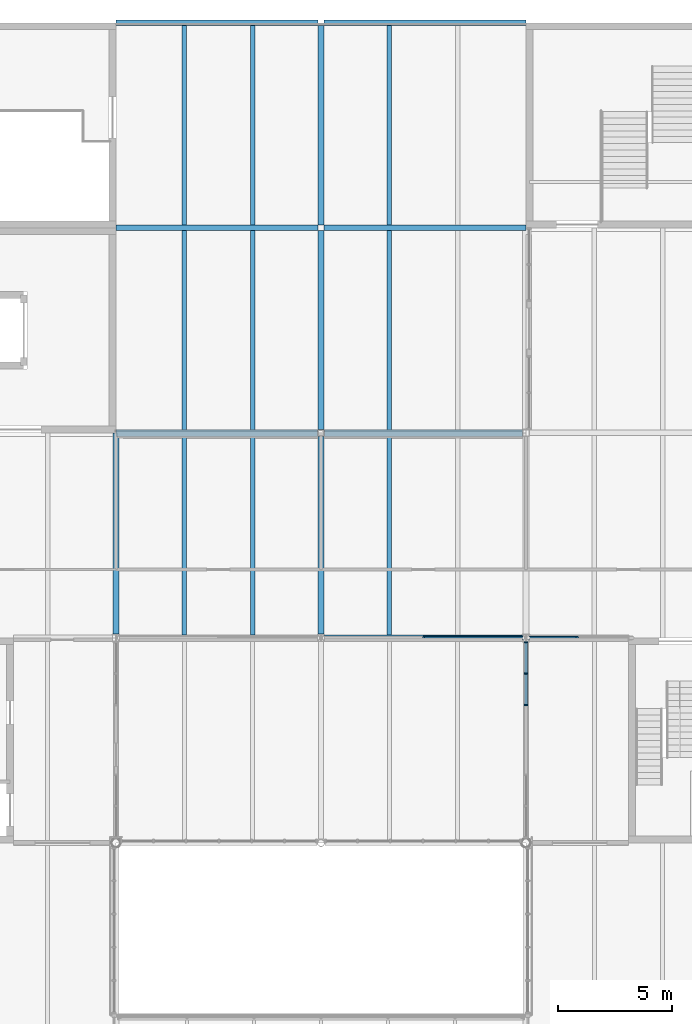
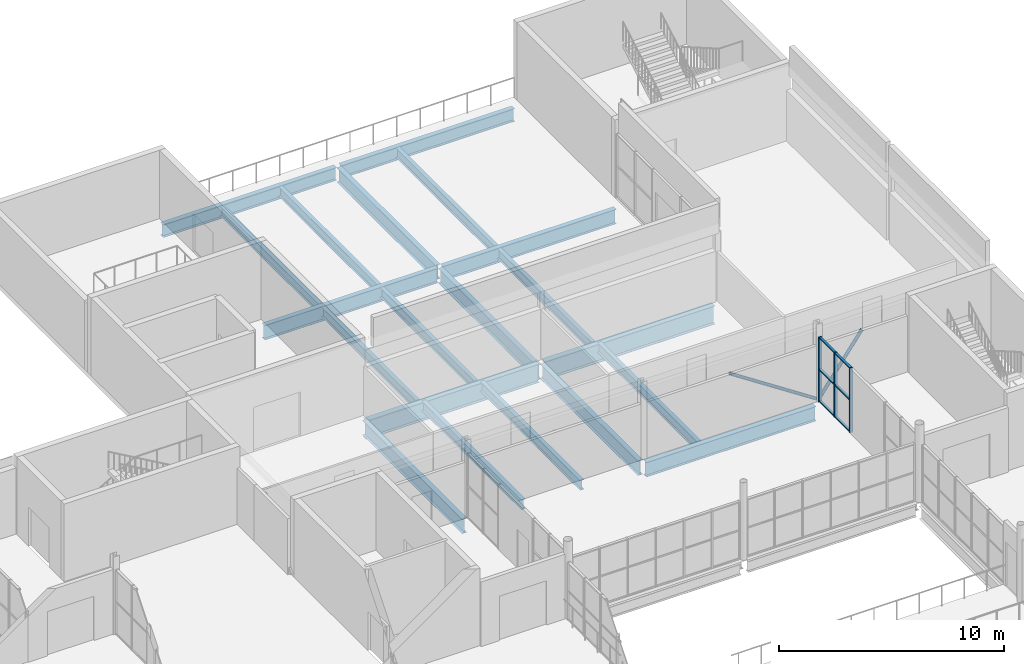
# One storey, part 29 of 61: 20 beams, 11 members, 1 element without a shape of its own.
"""IFC4 building model written with IfcOpenShell, lengths in metres."""

from ifc_helpers import new_model, si_unit, direction, frame, origin, origin_2d, place, context, subcontext, project, spatial, rectangle, hollow_circle, i_section, extrude, material, layer, layer_set, material_profile, profile_set, type_object, element, aggregate, save


model = new_model("IFC4")

# Units and contexts
model_context = context("Model", 3, precision=1e-05, world=origin(), true_north=direction((0.0, 1.0)))
body_context = subcontext(model_context, "Body", "Model", "MODEL_VIEW")
ifc_project = project(units=[si_unit("LENGTHUNIT", "METRE"), si_unit("AREAUNIT", "SQUARE_METRE"), si_unit("VOLUMEUNIT", "CUBIC_METRE"), si_unit("PLANEANGLEUNIT", "RADIAN"), si_unit("MASSUNIT", "GRAM", prefix="KILO")], contexts=[model_context])

# Site, building, storey
site_placement = place(None, origin())
site = spatial("IfcSite", under=ifc_project, at=site_placement, CompositionType="ELEMENT")
building_placement = place(site_placement, origin())
building = spatial("IfcBuilding", under=site, at=building_placement, Name="Halyard Row Museum", CompositionType="ELEMENT")
storey_placement = place(building_placement, frame((0.0, 0.0, 9.199951171875)))
storey = spatial("IfcBuildingStorey", under=building, at=storey_placement, Name="L02", CompositionType="ELEMENT", Elevation=9.199951171875)

# Members
ifc_material_1 = material(Name="Steel Grade C350L0", Category="steel")
ifc_material_profile_1 = material_profile(ifc_material_1, hollow_circle(Radius=0.084228515625, WallThickness=0.007080078125, at=origin_2d()), Name="168.3x7.1CHS")
ifc_profile_set_1 = profile_set([ifc_material_profile_1], Name="Steel Grade C350L0")
member_type_1 = type_object("IfcMemberType", Name="Brace 168.3x7.1CHS", PredefinedType="BRACE", material=ifc_profile_set_1)
member_1_placement = place(storey_placement, frame((98.8955078125, 36.0, 0.084228515625), z_axis=(-0.835922766235, 0.0, 0.548847090628), x_axis=(0.0, -1.0, 0.0)))
element("IfcMember", 1, at=member_1_placement, inside=storey, type_object=member_type_1, Name="Brace L02 Y36 90-99 B", PredefinedType="BRACE", context=body_context, shape_type="SweptSolid", body=[
    extrude(hollow_circle(Radius=0.084228515625, WallThickness=0.007080078125, at=origin_2d()), origin(), (0.0, 0.0, 1.0), 5.25830078125),
])
member_2_placement = place(storey_placement, frame((99.1044921875, 36.0, 0.084228515625), z_axis=(0.593927293783, 0.0, 0.804518719298), x_axis=(0.0, 1.0, 0.0)))
element("IfcMember", 2, at=member_2_placement, inside=storey, type_object=member_type_1, Name="Brace L02 Y36 99-103.5 A", PredefinedType="BRACE", context=body_context, shape_type="SweptSolid", body=[
    extrude(hollow_circle(Radius=0.084228515625, WallThickness=0.007080078125, at=origin_2d()), origin(), (0.0, 0.0, 1.0), 3.6123046875),
])

# Curtain wall, members
ifc_material_2 = material(Name="Fire-resisting laminated glazing", Category="glass")
ifc_layer = layer(ifc_material_2, 0.159912109375)
ifc_layer_set = layer_set([ifc_layer], Name="Fire-resisting laminated glazing")
curtain_wall_type = type_object("IfcCurtainWallType", Name="Curtain wall atrium screen 160 deep", PredefinedType="NOTDEFINED", material=ifc_layer_set)
curtain_wall_placement = place(storey_placement, origin())
curtain_wall = element("IfcCurtainWall", 3, at=curtain_wall_placement, inside=storey, type_object=curtain_wall_type, Name="Curtain wall CW175", PredefinedType="NOTDEFINED")
ifc_material_3 = material(Name="Powder-coated aluminium section", Category="aluminium")
ifc_material_profile_2 = material_profile(ifc_material_3, rectangle(XDim=0.159912109375, YDim=0.06005859375, at=origin_2d()), Name="160x60 mullion")
ifc_profile_set_2 = profile_set([ifc_material_profile_2], Name="Powder-coated aluminium section")
member_type_2 = type_object("IfcMemberType", Name="Curtain wall mullion CM5 60 x 160", PredefinedType="MULLION", material=ifc_profile_set_2)
member_3_placement = place(storey_placement, frame((99.0, 33.051513671875, 0.0), z_axis=(0.0, 0.0, 1.0), x_axis=(-1.0, 0.0, 0.0)))
member_3 = element("IfcMember", 4, at=member_3_placement, type_object=member_type_2, Name="CW175 mullion 1", PredefinedType="MULLION", context=body_context, shape_type="SweptSolid", body=[
    extrude(rectangle(XDim=0.159912109375, YDim=0.06005859375, at=origin_2d()), origin(), (0.0, 0.0, 1.0), 3.501953125),
])
member_4_placement = place(storey_placement, frame((99.0, 34.4306640625, 0.0), z_axis=(0.0, 0.0, 1.0), x_axis=(-1.0, 0.0, 0.0)))
member_4 = element("IfcMember", 5, at=member_4_placement, type_object=member_type_2, Name="CW175 mullion 2", PredefinedType="MULLION", context=body_context, shape_type="SweptSolid", body=[
    extrude(rectangle(XDim=0.159912109375, YDim=0.06005859375, at=origin_2d()), origin(), (0.0, 0.0, 1.0), 3.501953125),
])
member_5_placement = place(storey_placement, frame((99.0, 35.809814453125, 0.0), z_axis=(0.0, 0.0, 1.0), x_axis=(-1.0, 0.0, 0.0)))
member_5 = element("IfcMember", 6, at=member_5_placement, type_object=member_type_2, Name="CW175 mullion 3", PredefinedType="MULLION", context=body_context, shape_type="SweptSolid", body=[
    extrude(rectangle(XDim=0.159912109375, YDim=0.06005859375, at=origin_2d()), origin(), (0.0, 0.0, 1.0), 3.501953125),
])
ifc_material_4 = material(Name="Powder-coated aluminium section", Category="aluminium")
ifc_material_profile_3 = material_profile(ifc_material_4, rectangle(XDim=0.1201171875, YDim=0.06005859375, at=origin_2d()), Name="120x60 transom")
ifc_profile_set_3 = profile_set([ifc_material_profile_3], Name="Powder-coated aluminium section")
member_type_3 = type_object("IfcMemberType", Name="Curtain wall transom CT5 60 x 120", PredefinedType="USERDEFINED", material=ifc_profile_set_3)
member_6_placement = place(storey_placement, frame((99.0, 33.08154296875, 0.030029296875), z_axis=(0.0, 1.0, 0.0), x_axis=(-1.0, 0.0, 0.0)))
member_6 = element("IfcMember", 7, at=member_6_placement, type_object=member_type_3, Name="CW175 transom 1.1", ObjectType="TRANSOM", PredefinedType="USERDEFINED", context=body_context, shape_type="SweptSolid", body=[
    extrude(rectangle(XDim=0.1201171875, YDim=0.06005859375, at=origin_2d()), origin(), (0.0, 0.0, 1.0), 1.319091796875),
])
member_7_placement = place(storey_placement, frame((99.0, 33.08154296875, 1.7509765625), z_axis=(0.0, 1.0, 0.0), x_axis=(-1.0, 0.0, 0.0)))
member_7 = element("IfcMember", 8, at=member_7_placement, type_object=member_type_3, Name="CW175 transom 1.2", ObjectType="TRANSOM", PredefinedType="USERDEFINED", context=body_context, shape_type="SweptSolid", body=[
    extrude(rectangle(XDim=0.1201171875, YDim=0.06005859375, at=origin_2d()), origin(), (0.0, 0.0, 1.0), 1.319091796875),
])
member_8_placement = place(storey_placement, frame((99.0, 33.08154296875, 3.47216796875), z_axis=(0.0, 1.0, 0.0), x_axis=(-1.0, 0.0, 0.0)))
member_8 = element("IfcMember", 9, at=member_8_placement, type_object=member_type_3, Name="CW175 transom 1.3", ObjectType="TRANSOM", PredefinedType="USERDEFINED", context=body_context, shape_type="SweptSolid", body=[
    extrude(rectangle(XDim=0.1201171875, YDim=0.06005859375, at=origin_2d()), origin(), (0.0, 0.0, 1.0), 1.319091796875),
])
member_9_placement = place(storey_placement, frame((99.0, 34.460693359375, 0.030029296875), z_axis=(0.0, 1.0, 0.0), x_axis=(-1.0, 0.0, 0.0)))
member_9 = element("IfcMember", 10, at=member_9_placement, type_object=member_type_3, Name="CW175 transom 2.1", ObjectType="TRANSOM", PredefinedType="USERDEFINED", context=body_context, shape_type="SweptSolid", body=[
    extrude(rectangle(XDim=0.1201171875, YDim=0.06005859375, at=origin_2d()), origin(), (0.0, 0.0, 1.0), 1.319091796875),
])
member_10_placement = place(storey_placement, frame((99.0, 34.460693359375, 1.7509765625), z_axis=(0.0, 1.0, 0.0), x_axis=(-1.0, 0.0, 0.0)))
member_10 = element("IfcMember", 11, at=member_10_placement, type_object=member_type_3, Name="CW175 transom 2.2", ObjectType="TRANSOM", PredefinedType="USERDEFINED", context=body_context, shape_type="SweptSolid", body=[
    extrude(rectangle(XDim=0.1201171875, YDim=0.06005859375, at=origin_2d()), origin(), (0.0, 0.0, 1.0), 1.319091796875),
])
member_11_placement = place(storey_placement, frame((99.0, 34.460693359375, 3.47216796875), z_axis=(0.0, 1.0, 0.0), x_axis=(-1.0, 0.0, 0.0)))
member_11 = element("IfcMember", 12, at=member_11_placement, type_object=member_type_3, Name="CW175 transom 2.3", ObjectType="TRANSOM", PredefinedType="USERDEFINED", context=body_context, shape_type="SweptSolid", body=[
    extrude(rectangle(XDim=0.1201171875, YDim=0.06005859375, at=origin_2d()), origin(), (0.0, 0.0, 1.0), 1.319091796875),
])
aggregate(curtain_wall, [member_3, member_4, member_5, member_6, member_7, member_8, member_9, member_10, member_11])

# Beams
ifc_material_5 = material(Name="Steel Grade 300", Category="steel")
ifc_material_profile_4 = material_profile(ifc_material_5, i_section(OverallWidth=0.25, OverallDepth=0.699951171875, WebThickness=0.010009765625, FlangeThickness=0.02001953125, at=origin_2d()), Name="700WB130")
ifc_profile_set_4 = profile_set([ifc_material_profile_4], Name="Steel Grade 300")
beam_type_1 = type_object("IfcBeamType", Name="Edge beam 700WB130 (lowered 385)", PredefinedType="BEAM", material=ifc_profile_set_4)
for number, where, z_axis, x_axis, name in (
    (13, (81.0, 63.0, -0.89990234375), (1.0, 0.0, 0.0), (0.0, 1.0, 0.0), "Beam L02-043"),
    (14, (90.125, 63.0, -0.89990234375), (1.0, 0.0, 0.0), (0.0, 1.0, 0.0), "Beam L02-044"),
):
    element("IfcBeam", number, at=place(storey_placement, frame(where, z_axis=z_axis, x_axis=x_axis)), inside=storey, type_object=beam_type_1, Name=name, PredefinedType="BEAM", context=body_context, shape_type="SweptSolid", body=[
        extrude(i_section(OverallWidth=0.25, OverallDepth=0.699951171875, WebThickness=0.010009765625, FlangeThickness=0.02001953125, at=origin_2d()), origin(), (0.0, 0.0, 1.0), 8.875),
    ])
ifc_material_6 = material(Name="Steel Grade 300", Category="steel")
ifc_material_profile_5 = material_profile(ifc_material_6, i_section(OverallWidth=0.25, OverallDepth=0.7919921875, WebThickness=0.010009765625, FlangeThickness=0.01611328125, at=origin_2d()), Name="800WB122")
ifc_profile_set_5 = profile_set([ifc_material_profile_5], Name="Steel Grade 300")
beam_type_2 = type_object("IfcBeamType", Name="Girder beam 800WB122 (lowered 385)", PredefinedType="BEAM", material=ifc_profile_set_5)
for number, where, z_axis, x_axis, name in (
    (15, (81.0, 54.0, -0.946044921875), (1.0, 0.0, 0.0), (0.0, 1.0, 0.0), "Beam L02-041"),
    (16, (90.126953125, 54.0, -0.946044921875), (1.0, 0.0, 0.0), (0.0, 1.0, 0.0), "Beam L02-042"),
):
    element("IfcBeam", number, at=place(storey_placement, frame(where, z_axis=z_axis, x_axis=x_axis)), inside=storey, type_object=beam_type_2, Name=name, PredefinedType="BEAM", context=body_context, shape_type="SweptSolid", body=[
        extrude(i_section(OverallWidth=0.25, OverallDepth=0.7919921875, WebThickness=0.010009765625, FlangeThickness=0.01611328125, at=origin_2d()), origin(), (0.0, 0.0, 1.0), 8.873046875),
    ])
beam_1_placement = place(storey_placement, frame((90.0, 45.154052734375, -0.946044921875), z_axis=(0.0, 1.0, 0.0), x_axis=(-1.0, 0.0, 0.0)))
element("IfcBeam", 17, at=beam_1_placement, inside=storey, type_object=beam_type_2, Name="Beam L02-075", PredefinedType="BEAM", context=body_context, shape_type="SweptSolid", body=[
    extrude(i_section(OverallWidth=0.25, OverallDepth=0.7919921875, WebThickness=0.010009765625, FlangeThickness=0.01611328125, at=origin_2d()), origin(), (0.0, 0.0, 1.0), 8.718994140625),
])
beam_2_placement = place(storey_placement, frame((90.0, 54.126953125, -0.946044921875), z_axis=(0.0, 1.0, 0.0), x_axis=(-1.0, 0.0, 0.0)))
element("IfcBeam", 18, at=beam_2_placement, inside=storey, type_object=beam_type_2, Name="Beam L02-076", PredefinedType="BEAM", context=body_context, shape_type="SweptSolid", body=[
    extrude(i_section(OverallWidth=0.25, OverallDepth=0.7919921875, WebThickness=0.010009765625, FlangeThickness=0.01611328125, at=origin_2d()), origin(), (0.0, 0.0, 1.0), 8.748046875),
])
ifc_material_7 = material(Name="Steel Grade 300", Category="steel")
ifc_material_profile_6 = material_profile(ifc_material_7, i_section(OverallWidth=0.25, OverallDepth=0.7919921875, WebThickness=0.010009765625, FlangeThickness=0.01611328125, at=origin_2d()), Name="800WB122")
ifc_profile_set_6 = profile_set([ifc_material_profile_6], Name="Steel Grade 300")
beam_type_3 = type_object("IfcBeamType", Name="Girder beam 800WB122 (lowered 85)", PredefinedType="BEAM", material=ifc_profile_set_6)
beam_3_placement = place(storey_placement, frame((90.154541015625, 36.0, -0.64599609375), z_axis=(1.0, 0.0, 0.0), x_axis=(0.0, 1.0, 0.0)))
element("IfcBeam", 19, at=beam_3_placement, inside=storey, type_object=beam_type_3, Name="Beam L02-033", PredefinedType="BEAM", context=body_context, shape_type="SweptSolid", body=[
    extrude(i_section(OverallWidth=0.25, OverallDepth=0.7919921875, WebThickness=0.010009765625, FlangeThickness=0.01611328125, at=origin_2d()), origin(), (0.0, 0.0, 1.0), 8.68994140625),
])
beam_4_placement = place(storey_placement, frame((81.0, 36.16357421875, -0.64599609375), z_axis=(0.0, 1.0, 0.0), x_axis=(-1.0, 0.0, 0.0)))
element("IfcBeam", 20, at=beam_4_placement, inside=storey, type_object=beam_type_3, Name="Beam L02-071", PredefinedType="BEAM", context=body_context, shape_type="SweptSolid", body=[
    extrude(i_section(OverallWidth=0.25, OverallDepth=0.7919921875, WebThickness=0.010009765625, FlangeThickness=0.01611328125, at=origin_2d()), origin(), (0.0, 0.0, 1.0), 8.83642578125),
])
beam_5_placement = place(storey_placement, frame((90.0, 36.160400390625, -0.64599609375), z_axis=(0.0, 1.0, 0.0), x_axis=(-1.0, 0.0, 0.0)))
element("IfcBeam", 21, at=beam_5_placement, inside=storey, type_object=beam_type_3, Name="Beam L02-074", PredefinedType="BEAM", context=body_context, shape_type="SweptSolid", body=[
    extrude(i_section(OverallWidth=0.25, OverallDepth=0.7919921875, WebThickness=0.010009765625, FlangeThickness=0.01611328125, at=origin_2d()), origin(), (0.0, 0.0, 1.0), 8.685546875),
])
ifc_material_8 = material(Name="Steel Grade 300", Category="steel")
ifc_material_profile_7 = material_profile(ifc_material_8, i_section(OverallWidth=0.208984375, OverallDepth=0.5283203125, WebThickness=0.009521484375, FlangeThickness=0.01318359375, FilletRadius=0.013916015625, at=origin_2d()), Name="530UB82.0")
ifc_profile_set_7 = profile_set([ifc_material_profile_7], Name="Steel Grade 300")
beam_type_4 = type_object("IfcBeamType", Name="Secondary beam 530UB82.0 (lowered 385)", PredefinedType="BEAM", material=ifc_profile_set_7)
for number, where, z_axis, x_axis, name in (
    (22, (84.0, 45.008056640625, -0.81396484375), (0.0, 1.0, 0.0), (-1.0, 0.0, 0.0), "Beam L02-151"),
    (23, (87.0, 45.008056640625, -0.81396484375), (0.0, 1.0, 0.0), (-1.0, 0.0, 0.0), "Beam L02-152"),
    (24, (93.0, 45.008056640625, -0.81396484375), (0.0, 1.0, 0.0), (-1.0, 0.0, 0.0), "Beam L02-153"),
):
    element("IfcBeam", number, at=place(storey_placement, frame(where, z_axis=z_axis, x_axis=x_axis)), inside=storey, type_object=beam_type_4, Name=name, PredefinedType="BEAM", context=body_context, shape_type="SweptSolid", body=[
        extrude(i_section(OverallWidth=0.208984375, OverallDepth=0.5283203125, WebThickness=0.009521484375, FlangeThickness=0.01318359375, FilletRadius=0.013916015625, at=origin_2d()), origin(), (0.0, 0.0, 1.0), 8.866943359375),
    ])
for number, where, z_axis, x_axis, name in (
    (25, (84.0, 54.125, -0.81396484375), (0.0, 1.0, 0.0), (-1.0, 0.0, 0.0), "Beam L02-157"),
    (26, (87.0, 54.125, -0.81396484375), (0.0, 1.0, 0.0), (-1.0, 0.0, 0.0), "Beam L02-158"),
    (27, (93.0, 54.125, -0.81396484375), (0.0, 1.0, 0.0), (-1.0, 0.0, 0.0), "Beam L02-159"),
):
    element("IfcBeam", number, at=place(storey_placement, frame(where, z_axis=z_axis, x_axis=x_axis)), inside=storey, type_object=beam_type_4, Name=name, PredefinedType="BEAM", context=body_context, shape_type="SweptSolid", body=[
        extrude(i_section(OverallWidth=0.208984375, OverallDepth=0.5283203125, WebThickness=0.009521484375, FlangeThickness=0.01318359375, FilletRadius=0.013916015625, at=origin_2d()), origin(), (0.0, 0.0, 1.0), 8.75),
    ])
ifc_material_9 = material(Name="Steel Grade 300", Category="steel")
ifc_material_profile_8 = material_profile(ifc_material_9, i_section(OverallWidth=0.208984375, OverallDepth=0.5283203125, WebThickness=0.009521484375, FlangeThickness=0.01318359375, FilletRadius=0.013916015625, at=origin_2d()), Name="530UB82.0")
ifc_profile_set_8 = profile_set([ifc_material_profile_8], Name="Steel Grade 300")
beam_type_5 = type_object("IfcBeamType", Name="Secondary beam 530UB82.0 (lowered 85)", PredefinedType="BEAM", material=ifc_profile_set_8)
for number, where, z_axis, x_axis, name in (
    (28, (84.0, 36.125, -0.51416015625), (0.0, 1.0, 0.0), (-1.0, 0.0, 0.0), "Beam L02-146"),
    (29, (87.0, 36.125, -0.51416015625), (0.0, 1.0, 0.0), (-1.0, 0.0, 0.0), "Beam L02-147"),
    (30, (93.0, 36.125, -0.51416015625), (0.0, 1.0, 0.0), (-1.0, 0.0, 0.0), "Beam L02-148"),
):
    element("IfcBeam", number, at=place(storey_placement, frame(where, z_axis=z_axis, x_axis=x_axis)), inside=storey, type_object=beam_type_5, Name=name, PredefinedType="BEAM", context=body_context, shape_type="SweptSolid", body=[
        extrude(i_section(OverallWidth=0.208984375, OverallDepth=0.5283203125, WebThickness=0.009521484375, FlangeThickness=0.01318359375, FilletRadius=0.013916015625, at=origin_2d()), origin(), (0.0, 0.0, 1.0), 8.866943359375),
    ])
ifc_material_10 = material(Name="Steel Grade 300", Category="steel")
ifc_material_profile_9 = material_profile(ifc_material_10, i_section(OverallWidth=0.300048828125, OverallDepth=1.0, WebThickness=0.01611328125, FlangeThickness=0.02001953125, at=origin_2d()), Name="1000WB215")
ifc_profile_set_9 = profile_set([ifc_material_profile_9], Name="Steel Grade 300")
beam_type_6 = type_object("IfcBeamType", Name="Stepped beam 1000WB215 (lowered 85)", PredefinedType="BEAM", material=ifc_profile_set_9)
beam_6_placement = place(storey_placement, frame((81.0, 45.0, -0.75), z_axis=(1.0, 0.0, 0.0), x_axis=(0.0, 1.0, 0.0)))
element("IfcBeam", 31, at=beam_6_placement, inside=storey, type_object=beam_type_6, Name="Beam L02-038", PredefinedType="BEAM", context=body_context, shape_type="SweptSolid", body=[
    extrude(i_section(OverallWidth=0.300048828125, OverallDepth=1.0, WebThickness=0.01611328125, FlangeThickness=0.02001953125, at=origin_2d()), origin(), (0.0, 0.0, 1.0), 8.847412109375),
])
beam_7_placement = place(storey_placement, frame((90.152587890625, 45.0, -0.75), z_axis=(1.0, 0.0, 0.0), x_axis=(0.0, 1.0, 0.0)))
element("IfcBeam", 32, at=beam_7_placement, inside=storey, type_object=beam_type_6, Name="Beam L02-039", PredefinedType="BEAM", context=body_context, shape_type="SweptSolid", body=[
    extrude(i_section(OverallWidth=0.300048828125, OverallDepth=1.0, WebThickness=0.01611328125, FlangeThickness=0.02001953125, at=origin_2d()), origin(), (0.0, 0.0, 1.0), 8.69482421875),
])

save(model, "model.ifc")
